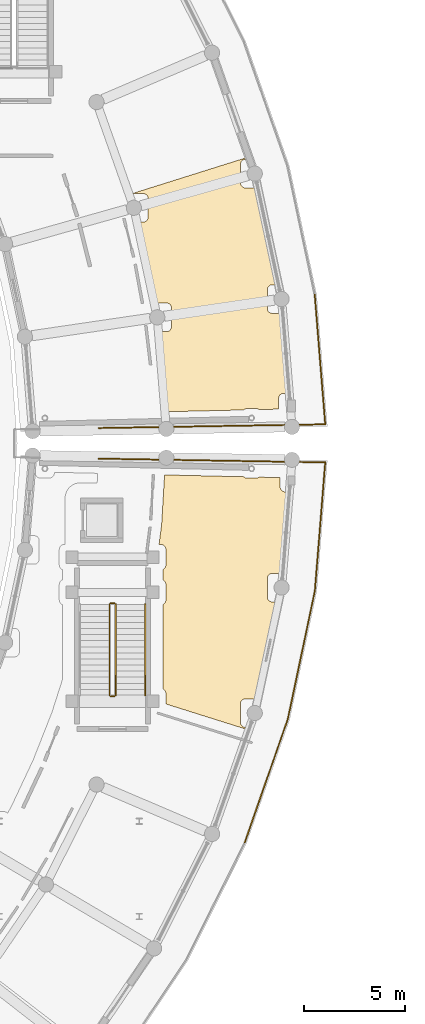
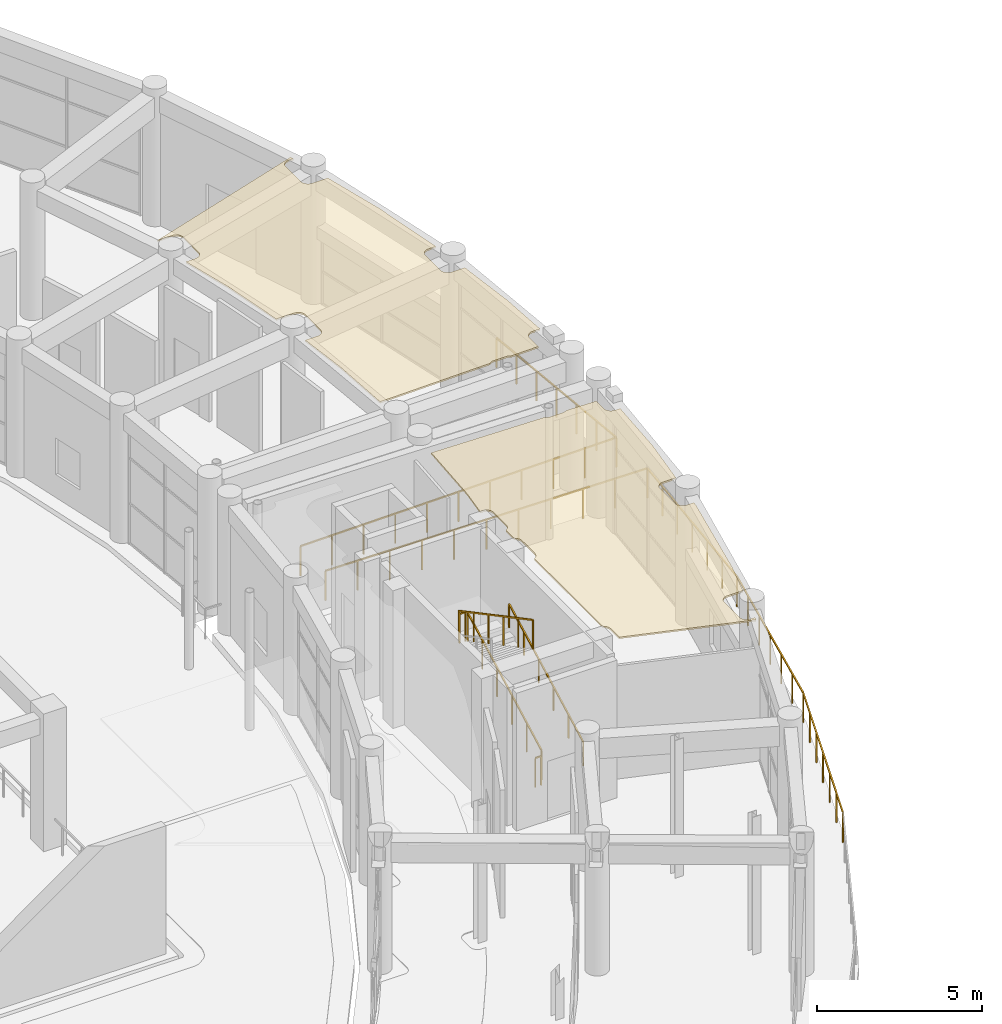
# One storey, part 93 of 99: 11 railings, 2 coverings.
"""IFC4 building model written with IfcOpenShell, lengths in metres."""

from ifc_helpers import new_model, si_unit, direction, frame, origin, origin_2d, place, context, subcontext, project, spatial, polyline, rectangle, outline, extrude, material, layer, layer_set, type_object, element, save


model = new_model("IFC4")

# Units and contexts
model_context = context("Model", 3, precision=1e-05, world=origin(), true_north=direction((0.0, 1.0)))
body_context = subcontext(model_context, "Body", "Model", "MODEL_VIEW")
ifc_project = project(units=[si_unit("LENGTHUNIT", "METRE"), si_unit("AREAUNIT", "SQUARE_METRE"), si_unit("VOLUMEUNIT", "CUBIC_METRE"), si_unit("PLANEANGLEUNIT", "RADIAN"), si_unit("MASSUNIT", "GRAM", prefix="KILO")], contexts=[model_context])

# Site, building, storey
site_placement = place(None, origin())
site = spatial("IfcSite", under=ifc_project, at=site_placement, CompositionType="ELEMENT")
building_placement = place(site_placement, origin())
building = spatial("IfcBuilding", under=site, at=building_placement, Name="Saryqyr Civic Hall", CompositionType="ELEMENT")
storey_placement = place(building_placement, origin())
storey = spatial("IfcBuildingStorey", under=building, at=storey_placement, Name="L00", CompositionType="ELEMENT", Elevation=0.0)

# Coverings
ifc_material_1 = material(Name="Mineral-fibre acoustic ceiling tile", Category="acoustic_tile")
ifc_layer_1 = layer(ifc_material_1, 0.06005859375, Name="Mineral-fibre acoustic ceiling tile")
ifc_layer_set_1 = layer_set([ifc_layer_1], Name="Mineral-fibre acoustic ceiling tile")
covering_type = type_object("IfcCoveringType", Name="INT-COV-CEIL-60", PredefinedType="CEILING", material=ifc_layer_set_1)
covering_1_placement = place(storey_placement, frame((0.0, 0.0, 4.760009765625)))
element("IfcCovering", 1, at=covering_1_placement, inside=storey, type_object=covering_type, Name="Acoustic ceiling Public Toilet Block & Accessible MGN WC L00-E", PredefinedType="CEILING", context=body_context, shape_type="SweptSolid", body=[
    extrude(outline(polyline([(99.706298828125, 82.443359375), (103.612548828125, 82.351318359375), (103.625, 82.340087890625), (103.64453125, 82.32568359375), (103.665771484375, 82.31298828125), (103.687744140625, 82.302490234375), (103.7109375, 82.294189453125), (103.734619140625, 82.288330078125), (103.759033203125, 82.28466796875), (103.783447265625, 82.283447265625), (104.216552734375, 82.283447265625), (104.240966796875, 82.28466796875), (104.265380859375, 82.288330078125), (104.2890625, 82.294189453125), (104.312255859375, 82.302490234375), (104.334228515625, 82.31298828125), (104.35546875, 82.32568359375), (104.3662109375, 82.33349609375), (105.410400390625, 82.30908203125), (105.410400390625, 81.856689453125), (105.41162109375, 81.832275390625), (105.415283203125, 81.807861328125), (105.42138671875, 81.7841796875), (105.429443359375, 81.760986328125), (105.43994140625, 81.739013671875), (105.45263671875, 81.7177734375), (105.46728515625, 81.697998046875), (105.483642578125, 81.679931640625), (105.501953125, 81.663330078125), (105.521484375, 81.648681640625), (105.542724609375, 81.63623046875), (105.564697265625, 81.625732421875), (105.587890625, 81.617431640625), (105.61181640625, 81.611572265625), (105.635986328125, 81.60791015625), (105.660400390625, 81.606689453125), (105.84326171875, 81.606689453125), (105.714111328125, 79.413330078125), (105.476806640625, 77.5849609375), (105.02490234375, 77.5849609375), (105.00048828125, 77.583740234375), (104.976318359375, 77.580078125), (104.952392578125, 77.57421875), (104.92919921875, 77.56591796875), (104.9072265625, 77.555419921875), (104.885986328125, 77.54296875), (104.866455078125, 77.5283203125), (104.84814453125, 77.51171875), (104.831787109375, 77.49365234375), (104.817138671875, 77.473876953125), (104.804443359375, 77.452880859375), (104.7939453125, 77.4306640625), (104.785888671875, 77.40771484375), (104.77978515625, 77.3837890625), (104.776123046875, 77.359619140625), (104.77490234375, 77.3349609375), (104.77490234375, 76.425048828125), (104.776123046875, 76.400390625), (104.77978515625, 76.376220703125), (104.785888671875, 76.352294921875), (104.7939453125, 76.329345703125), (104.804443359375, 76.30712890625), (104.817138671875, 76.2861328125), (104.831787109375, 76.266357421875), (104.84814453125, 76.248291015625), (104.866455078125, 76.231689453125), (104.885986328125, 76.217041015625), (104.9072265625, 76.20458984375), (104.92919921875, 76.194091796875), (104.952392578125, 76.185791015625), (104.976318359375, 76.1796875), (105.00048828125, 76.17626953125), (105.02490234375, 76.175048828125), (105.2939453125, 76.175048828125), (105.271484375, 76.002197265625), (104.59033203125, 72.630615234375), (104.249267578125, 71.396240234375), (103.702880859375, 71.396240234375), (103.678466796875, 71.39501953125), (103.654296875, 71.391357421875), (103.63037109375, 71.385498046875), (103.607421875, 71.377197265625), (103.585205078125, 71.36669921875), (103.564208984375, 71.35400390625), (103.54443359375, 71.339599609375), (103.526123046875, 71.322998046875), (103.509765625, 71.3046875), (103.4951171875, 71.28515625), (103.482421875, 71.263916015625), (103.471923828125, 71.241943359375), (103.4638671875, 71.21875), (103.457763671875, 71.195068359375), (103.4541015625, 71.170654296875), (103.452880859375, 71.146240234375), (103.452880859375, 70.236083984375), (103.4541015625, 70.211669921875), (103.457763671875, 70.1875), (103.4638671875, 70.16357421875), (103.471923828125, 70.140380859375), (103.482421875, 70.118408203125), (103.4951171875, 70.097412109375), (103.509765625, 70.07763671875), (103.526123046875, 70.059326171875), (103.54443359375, 70.04296875), (103.564208984375, 70.0283203125), (103.585205078125, 70.015625), (103.607421875, 70.005126953125), (103.63037109375, 69.9970703125), (103.654296875, 69.990966796875), (103.678466796875, 69.9873046875), (103.702880859375, 69.986083984375), (103.859619140625, 69.986083984375), (103.825927734375, 69.86474609375), (99.77001953125, 71.14013671875), (99.77001953125, 71.655029296875), (99.768798828125, 71.679443359375), (99.76513671875, 71.703857421875), (99.75927734375, 71.7275390625), (99.7509765625, 71.750732421875), (99.740478515625, 71.772705078125), (99.727783203125, 71.7939453125), (99.71337890625, 71.813720703125), (99.69677734375, 71.831787109375), (99.6787109375, 71.848388671875), (99.658935546875, 71.86279296875), (99.6376953125, 71.87548828125), (99.6201171875, 71.8837890625), (99.6201171875, 76.041015625), (99.6376953125, 76.049560546875), (99.658935546875, 76.06201171875), (99.6787109375, 76.07666015625), (99.69677734375, 76.09326171875), (99.71337890625, 76.111328125), (99.727783203125, 76.131103515625), (99.740478515625, 76.152099609375), (99.7509765625, 76.17431640625), (99.75927734375, 76.197509765625), (99.76513671875, 76.22119140625), (99.768798828125, 76.24560546875), (99.77001953125, 76.27001953125), (99.77001953125, 77.030029296875), (99.768798828125, 77.054443359375), (99.76513671875, 77.078857421875), (99.75927734375, 77.1025390625), (99.7509765625, 77.125732421875), (99.740478515625, 77.147705078125), (99.727783203125, 77.1689453125), (99.71337890625, 77.188720703125), (99.69677734375, 77.206787109375), (99.6787109375, 77.223388671875), (99.658935546875, 77.23779296875), (99.6376953125, 77.25048828125), (99.6201171875, 77.2587890625), (99.6201171875, 77.77099609375), (99.6376953125, 77.779541015625), (99.658935546875, 77.7919921875), (99.6787109375, 77.806640625), (99.69677734375, 77.8232421875), (99.71337890625, 77.84130859375), (99.727783203125, 77.861083984375), (99.740478515625, 77.882080078125), (99.7509765625, 77.904296875), (99.75927734375, 77.927490234375), (99.76513671875, 77.951171875), (99.768798828125, 77.9755859375), (99.77001953125, 78.0), (99.77001953125, 78.760009765625), (99.768798828125, 78.784423828125), (99.76513671875, 78.808837890625), (99.75927734375, 78.83251953125), (99.7509765625, 78.855712890625), (99.740478515625, 78.877685546875), (99.727783203125, 78.89892578125), (99.71337890625, 78.918701171875), (99.69677734375, 78.936767578125), (99.6787109375, 78.953369140625), (99.658935546875, 78.968017578125), (99.6376953125, 78.98046875), (99.61572265625, 78.990966796875), (99.592529296875, 78.999267578125), (99.56884765625, 79.005126953125), (99.54443359375, 79.0087890625), (99.52001953125, 79.010009765625), (99.4345703125, 79.010009765625), (99.5595703125, 79.973388671875), (99.563232421875, 80.011962890625), (99.706298828125, 82.443359375)])), origin(), (0.0, 0.0, 1.0), 0.06005859375),
])
covering_2_placement = place(storey_placement, frame((0.0, 0.0, 4.760009765625)))
element("IfcCovering", 2, at=covering_2_placement, inside=storey, type_object=covering_type, Name="Acoustic ceiling North Civic Square Citizens' Reception Hall", PredefinedType="CEILING", context=body_context, shape_type="SweptSolid", body=[
    extrude(outline(polyline([(105.02490234375, 91.824951171875), (105.00048828125, 91.82373046875), (104.976318359375, 91.8203125), (104.952392578125, 91.814208984375), (104.92919921875, 91.805908203125), (104.9072265625, 91.79541015625), (104.885986328125, 91.782958984375), (104.866455078125, 91.768310546875), (104.84814453125, 91.751708984375), (104.831787109375, 91.733642578125), (104.817138671875, 91.7138671875), (104.804443359375, 91.69287109375), (104.7939453125, 91.670654296875), (104.785888671875, 91.647705078125), (104.77978515625, 91.623779296875), (104.776123046875, 91.599609375), (104.77490234375, 91.574951171875), (104.77490234375, 90.6650390625), (104.776123046875, 90.640380859375), (104.77978515625, 90.6162109375), (104.785888671875, 90.59228515625), (104.7939453125, 90.5693359375), (104.804443359375, 90.547119140625), (104.817138671875, 90.526123046875), (104.831787109375, 90.50634765625), (104.84814453125, 90.48828125), (104.866455078125, 90.4716796875), (104.885986328125, 90.45703125), (104.9072265625, 90.444580078125), (104.92919921875, 90.43408203125), (104.952392578125, 90.42578125), (104.976318359375, 90.419921875), (105.00048828125, 90.416259765625), (105.02490234375, 90.4150390625), (105.48583984375, 90.4150390625), (105.74267578125, 88.275146484375), (105.843017578125, 86.46826171875), (105.58544921875, 86.46826171875), (105.56103515625, 86.467041015625), (105.53662109375, 86.46337890625), (105.512939453125, 86.45751953125), (105.48974609375, 86.44921875), (105.4677734375, 86.438720703125), (105.446533203125, 86.42626953125), (105.427001953125, 86.41162109375), (105.40869140625, 86.39501953125), (105.39208984375, 86.376953125), (105.377685546875, 86.357177734375), (105.364990234375, 86.336181640625), (105.3544921875, 86.31396484375), (105.34619140625, 86.291015625), (105.34033203125, 86.26708984375), (105.336669921875, 86.242919921875), (105.33544921875, 86.21826171875), (105.33544921875, 85.689208984375), (104.3662109375, 85.66650390625), (104.35546875, 85.67431640625), (104.334228515625, 85.68701171875), (104.312255859375, 85.697509765625), (104.2890625, 85.705810546875), (104.265380859375, 85.711669921875), (104.240966796875, 85.71533203125), (104.216552734375, 85.716552734375), (103.783447265625, 85.716552734375), (103.759033203125, 85.71533203125), (103.734619140625, 85.711669921875), (103.7109375, 85.705810546875), (103.687744140625, 85.697509765625), (103.665771484375, 85.68701171875), (103.64453125, 85.67431640625), (103.625, 85.659912109375), (103.612548828125, 85.648681640625), (99.7080078125, 85.556640625), (99.587890625, 87.717529296875), (99.584716796875, 87.752685546875), (99.373291015625, 89.51416015625), (99.80078125, 89.51416015625), (99.8251953125, 89.515380859375), (99.849609375, 89.518798828125), (99.873291015625, 89.52490234375), (99.896484375, 89.533203125), (99.918701171875, 89.543701171875), (99.939697265625, 89.55615234375), (99.95947265625, 89.57080078125), (99.9775390625, 89.58740234375), (99.994140625, 89.60546875), (100.0087890625, 89.625244140625), (100.021240234375, 89.646240234375), (100.03173828125, 89.66845703125), (100.0400390625, 89.69140625), (100.0458984375, 89.71533203125), (100.049560546875, 89.739501953125), (100.05078125, 89.76416015625), (100.05078125, 90.674072265625), (100.049560546875, 90.698486328125), (100.0458984375, 90.722900390625), (100.0400390625, 90.74658203125), (100.03173828125, 90.769775390625), (100.021240234375, 90.7919921875), (100.0087890625, 90.81298828125), (99.994140625, 90.832763671875), (99.9775390625, 90.850830078125), (99.95947265625, 90.867431640625), (99.939697265625, 90.882080078125), (99.918701171875, 90.89453125), (99.896484375, 90.905029296875), (99.873291015625, 90.913330078125), (99.849609375, 90.919189453125), (99.8251953125, 90.9228515625), (99.80078125, 90.924072265625), (99.1728515625, 90.924072265625), (98.76611328125, 93.1171875), (98.7587890625, 93.151611328125), (98.312255859375, 94.919921875), (98.64599609375, 94.919921875), (98.670654296875, 94.9208984375), (98.69482421875, 94.924560546875), (98.71875, 94.9306640625), (98.74169921875, 94.938720703125), (98.763916015625, 94.94921875), (98.784912109375, 94.9619140625), (98.8046875, 94.9765625), (98.822998046875, 94.992919921875), (98.83935546875, 95.01123046875), (98.85400390625, 95.031005859375), (98.86669921875, 95.052001953125), (98.877197265625, 95.07421875), (98.88525390625, 95.09716796875), (98.891357421875, 95.12109375), (98.89501953125, 95.145263671875), (98.89599609375, 95.169921875), (98.89599609375, 96.079833984375), (98.89501953125, 96.104248046875), (98.891357421875, 96.128662109375), (98.88525390625, 96.15234375), (98.877197265625, 96.175537109375), (98.86669921875, 96.197509765625), (98.85400390625, 96.21875), (98.83935546875, 96.23828125), (98.822998046875, 96.256591796875), (98.8046875, 96.273193359375), (98.784912109375, 96.28759765625), (98.763916015625, 96.30029296875), (98.74169921875, 96.310791015625), (98.71875, 96.319091796875), (98.69482421875, 96.324951171875), (98.670654296875, 96.32861328125), (98.64599609375, 96.329833984375), (98.125244140625, 96.329833984375), (103.82958984375, 98.122802734375), (103.86474609375, 98.013916015625), (103.702880859375, 98.013916015625), (103.678466796875, 98.0126953125), (103.654296875, 98.009033203125), (103.63037109375, 98.0029296875), (103.607421875, 97.994873046875), (103.585205078125, 97.984375), (103.564208984375, 97.9716796875), (103.54443359375, 97.95703125), (103.526123046875, 97.940673828125), (103.509765625, 97.92236328125), (103.4951171875, 97.902587890625), (103.482421875, 97.881591796875), (103.471923828125, 97.859619140625), (103.4638671875, 97.83642578125), (103.457763671875, 97.8125), (103.4541015625, 97.788330078125), (103.452880859375, 97.763916015625), (103.452880859375, 96.853759765625), (103.4541015625, 96.829345703125), (103.457763671875, 96.804931640625), (103.4638671875, 96.78125), (103.471923828125, 96.758056640625), (103.482421875, 96.736083984375), (103.4951171875, 96.71484375), (103.509765625, 96.6953125), (103.526123046875, 96.677001953125), (103.54443359375, 96.660400390625), (103.564208984375, 96.64599609375), (103.585205078125, 96.63330078125), (103.607421875, 96.622802734375), (103.63037109375, 96.614501953125), (103.654296875, 96.608642578125), (103.678466796875, 96.60498046875), (103.702880859375, 96.603759765625), (104.257080078125, 96.603759765625), (104.7998046875, 94.454833984375), (105.287353515625, 91.824951171875), (105.02490234375, 91.824951171875)])), origin(), (0.0, 0.0, 1.0), 0.06005859375),
])

# Railings
ifc_material_2 = material(Name="Warm brushed brass and laminated glass", Category="glass")
ifc_layer_2 = layer(ifc_material_2, 0.06005859375, Name="Warm brushed brass and laminated glass")
ifc_layer_set_2 = layer_set([ifc_layer_2], Name="Warm brushed brass and laminated glass")
railing_type_1 = type_object("IfcRailingType", Name="INT-RLG-BAL-1100", PredefinedType="BALUSTRADE", material=ifc_layer_set_2)
railing_1_placement = place(storey_placement, frame((97.2900390625, 71.56005859375, 0.159423828125)))
element("IfcRailing", 3, at=railing_1_placement, inside=storey, type_object=railing_type_1, Name="L00 ST-5 stair guard 1", PredefinedType="BALUSTRADE", context=body_context, shape_type="SweptSolid", body=[
    extrude(rectangle(XDim=0.048095703125, YDim=0.048095703125, at=origin_2d()), frame((0.0, 0.0, 1.076171875), z_axis=(0.0, 0.883115719457, 0.469155225962), x_axis=(-1.0, 0.0, 0.0)), (0.0, 0.0, 1.0), 5.095703125),
    extrude(rectangle(XDim=0.0419921875, YDim=0.0419921875, at=origin_2d()), origin(), (0.0, 0.0, 1.0), 1.052001953125),
    extrude(rectangle(XDim=0.0419921875, YDim=0.0419921875, at=origin_2d()), frame((0.0, 0.89990234375, 0.47802734375)), (0.0, 0.0, 1.0), 1.052001953125),
    extrude(rectangle(XDim=0.0419921875, YDim=0.0419921875, at=origin_2d()), frame((0.0, 1.800048828125, 0.956298828125)), (0.0, 0.0, 1.0), 1.052001953125),
    extrude(rectangle(XDim=0.0419921875, YDim=0.0419921875, at=origin_2d()), frame((0.0, 2.699951171875, 1.434326171875)), (0.0, 0.0, 1.0), 1.052001953125),
    extrude(rectangle(XDim=0.0419921875, YDim=0.0419921875, at=origin_2d()), frame((0.0, 3.60009765625, 1.91259765625)), (0.0, 0.0, 1.0), 1.052001953125),
    extrude(rectangle(XDim=0.0419921875, YDim=0.0419921875, at=origin_2d()), frame((0.0, 4.5, 2.390625)), (0.0, 0.0, 1.0), 1.052001953125),
])
railing_2_placement = place(storey_placement, frame((97.239990234375, 76.110107421875, 2.550048828125)))
element("IfcRailing", 4, at=railing_2_placement, inside=storey, type_object=railing_type_1, Name="L00 ST-5 stair guard 2", PredefinedType="BALUSTRADE", context=body_context, shape_type="SweptSolid", body=[
    extrude(rectangle(XDim=0.048095703125, YDim=0.048095703125, at=origin_2d()), frame((0.0, 0.0, 1.076171875), z_axis=(-1.0, 0.0, 0.0), x_axis=(0.0, -1.0, 0.0)), (0.0, 0.0, 1.0), 0.199951171875),
    extrude(rectangle(XDim=0.0419921875, YDim=0.0419921875, at=origin_2d()), origin(), (0.0, 0.0, 1.0), 1.052001953125),
    extrude(rectangle(XDim=0.0419921875, YDim=0.0419921875, at=origin_2d()), frame((-0.199951171875, 0.0, 0.0)), (0.0, 0.0, 1.0), 1.052001953125),
])
railing_3_placement = place(storey_placement, frame((96.989990234375, 76.06005859375, 2.70947265625)))
element("IfcRailing", 5, at=railing_3_placement, inside=storey, type_object=railing_type_1, Name="L00 ST-5 stair guard 3", PredefinedType="BALUSTRADE", context=body_context, shape_type="SweptSolid", body=[
    extrude(rectangle(XDim=0.048095703125, YDim=0.048095703125, at=origin_2d()), frame((0.0, 0.0, 1.076171875), z_axis=(0.0, -0.883115719457, 0.469155225962), x_axis=(1.0, 0.0, 0.0)), (0.0, 0.0, 1.0), 5.095703125),
    extrude(rectangle(XDim=0.0419921875, YDim=0.0419921875, at=origin_2d()), origin(), (0.0, 0.0, 1.0), 1.052001953125),
    extrude(rectangle(XDim=0.0419921875, YDim=0.0419921875, at=origin_2d()), frame((0.0, -0.89990234375, 0.47802734375)), (0.0, 0.0, 1.0), 1.052001953125),
    extrude(rectangle(XDim=0.0419921875, YDim=0.0419921875, at=origin_2d()), frame((0.0, -1.800048828125, 0.956298828125)), (0.0, 0.0, 1.0), 1.052001953125),
    extrude(rectangle(XDim=0.0419921875, YDim=0.0419921875, at=origin_2d()), frame((0.0, -2.699951171875, 1.434326171875)), (0.0, 0.0, 1.0), 1.052001953125),
    extrude(rectangle(XDim=0.0419921875, YDim=0.0419921875, at=origin_2d()), frame((0.0, -3.60009765625, 1.91259765625)), (0.0, 0.0, 1.0), 1.052001953125),
    extrude(rectangle(XDim=0.0419921875, YDim=0.0419921875, at=origin_2d()), frame((0.0, -4.5, 2.390625)), (0.0, 0.0, 1.0), 1.052001953125),
])
railing_4_placement = place(storey_placement, frame((97.239990234375, 71.510009765625, 0.0)))
element("IfcRailing", 6, at=railing_4_placement, inside=storey, type_object=railing_type_1, Name="L00 ST-5 stair guard 4", PredefinedType="BALUSTRADE", context=body_context, shape_type="SweptSolid", body=[
    extrude(rectangle(XDim=0.048095703125, YDim=0.048095703125, at=origin_2d()), frame((0.0, 0.0, 1.076171875), z_axis=(-1.0, 0.0, 0.0), x_axis=(0.0, -1.0, 0.0)), (0.0, 0.0, 1.0), 0.199951171875),
    extrude(rectangle(XDim=0.0419921875, YDim=0.0419921875, at=origin_2d()), origin(), (0.0, 0.0, 1.0), 1.052001953125),
    extrude(rectangle(XDim=0.0419921875, YDim=0.0419921875, at=origin_2d()), frame((-0.199951171875, 0.0, 0.0)), (0.0, 0.0, 1.0), 1.052001953125),
])
railing_5_placement = place(storey_placement, frame((107.117431640625, 91.32421875, 0.0)))
element("IfcRailing", 7, at=railing_5_placement, inside=storey, type_object=railing_type_1, Name="Interior deck safety balustrade L00-024", PredefinedType="BALUSTRADE", context=body_context, shape_type="SweptSolid", body=[
    extrude(rectangle(XDim=0.048095703125, YDim=0.048095703125, at=origin_2d()), frame((0.0, 0.0, 1.09619140625), z_axis=(0.080764698929, -0.996733195698, 0.0), x_axis=(0.996733195698, 0.080764698929, 0.0)), (0.0, 0.0, 1.0), 6.405517578125),
    extrude(rectangle(XDim=0.0419921875, YDim=0.0419921875, at=origin_2d()), origin(), (0.0, 0.0, 1.0), 1.072021484375),
    extrude(rectangle(XDim=0.0419921875, YDim=0.0419921875, at=origin_2d()), frame((0.086181640625, -1.06396484375, 0.0)), (0.0, 0.0, 1.0), 1.072021484375),
    extrude(rectangle(XDim=0.0419921875, YDim=0.0419921875, at=origin_2d()), frame((0.17236328125, -2.128173828125, 0.0)), (0.0, 0.0, 1.0), 1.072021484375),
    extrude(rectangle(XDim=0.0419921875, YDim=0.0419921875, at=origin_2d()), frame((0.2587890625, -3.1923828125, 0.0)), (0.0, 0.0, 1.0), 1.072021484375),
    extrude(rectangle(XDim=0.0419921875, YDim=0.0419921875, at=origin_2d()), frame((0.344970703125, -4.25634765625, 0.0)), (0.0, 0.0, 1.0), 1.072021484375),
    extrude(rectangle(XDim=0.0419921875, YDim=0.0419921875, at=origin_2d()), frame((0.43115234375, -5.3203125, 0.0)), (0.0, 0.0, 1.0), 1.072021484375),
    extrude(rectangle(XDim=0.0419921875, YDim=0.0419921875, at=origin_2d()), frame((0.517333984375, -6.384521484375, 0.0)), (0.0, 0.0, 1.0), 1.072021484375),
])
railing_6_placement = place(storey_placement, frame((107.634765625, 84.939697265625, 0.0)))
element("IfcRailing", 8, at=railing_6_placement, inside=storey, type_object=railing_type_1, Name="Interior deck safety balustrade L00-025", PredefinedType="BALUSTRADE", context=body_context, shape_type="SweptSolid", body=[
    extrude(rectangle(XDim=0.048095703125, YDim=0.048095703125, at=origin_2d()), frame((0.0, 0.0, 1.09619140625), z_axis=(-0.999862603863, -0.016576290165, 0.0), x_axis=(0.016576290165, -0.999862603863, 0.0)), (0.0, 0.0, 1.0), 11.1787109375),
    extrude(rectangle(XDim=0.0419921875, YDim=0.0419921875, at=origin_2d()), origin(), (0.0, 0.0, 1.0), 1.072021484375),
    extrude(rectangle(XDim=0.0419921875, YDim=0.0419921875, at=origin_2d()), frame((-1.11767578125, -0.0185546875, 0.0)), (0.0, 0.0, 1.0), 1.072021484375),
    extrude(rectangle(XDim=0.0419921875, YDim=0.0419921875, at=origin_2d()), frame((-2.2353515625, -0.037109375, 0.0)), (0.0, 0.0, 1.0), 1.072021484375),
    extrude(rectangle(XDim=0.0419921875, YDim=0.0419921875, at=origin_2d()), frame((-3.353271484375, -0.0556640625, 0.0)), (0.0, 0.0, 1.0), 1.072021484375),
    extrude(rectangle(XDim=0.0419921875, YDim=0.0419921875, at=origin_2d()), frame((-4.470947265625, -0.07421875, 0.0)), (0.0, 0.0, 1.0), 1.072021484375),
    extrude(rectangle(XDim=0.0419921875, YDim=0.0419921875, at=origin_2d()), frame((-5.588623046875, -0.0927734375, 0.0)), (0.0, 0.0, 1.0), 1.072021484375),
    extrude(rectangle(XDim=0.0419921875, YDim=0.0419921875, at=origin_2d()), frame((-6.706298828125, -0.111083984375, 0.0)), (0.0, 0.0, 1.0), 1.072021484375),
    extrude(rectangle(XDim=0.0419921875, YDim=0.0419921875, at=origin_2d()), frame((-7.823974609375, -0.129638671875, 0.0)), (0.0, 0.0, 1.0), 1.072021484375),
    extrude(rectangle(XDim=0.0419921875, YDim=0.0419921875, at=origin_2d()), frame((-8.94189453125, -0.148193359375, 0.0)), (0.0, 0.0, 1.0), 1.072021484375),
    extrude(rectangle(XDim=0.0419921875, YDim=0.0419921875, at=origin_2d()), frame((-10.0595703125, -0.166748046875, 0.0)), (0.0, 0.0, 1.0), 1.072021484375),
    extrude(rectangle(XDim=0.0419921875, YDim=0.0419921875, at=origin_2d()), frame((-11.17724609375, -0.185302734375, 0.0)), (0.0, 0.0, 1.0), 1.072021484375),
])
railing_7_placement = place(storey_placement, frame((96.45751953125, 83.24560546875, 0.0)))
element("IfcRailing", 9, at=railing_7_placement, inside=storey, type_object=railing_type_1, Name="Interior deck safety balustrade L00-029", PredefinedType="BALUSTRADE", context=body_context, shape_type="SweptSolid", body=[
    extrude(rectangle(XDim=0.048095703125, YDim=0.048095703125, at=origin_2d()), frame((0.0, 0.0, 1.09619140625), z_axis=(0.999862603863, -0.016576290165, 0.0), x_axis=(0.016576290165, 0.999862603863, 0.0)), (0.0, 0.0, 1.0), 11.1787109375),
    extrude(rectangle(XDim=0.0419921875, YDim=0.0419921875, at=origin_2d()), origin(), (0.0, 0.0, 1.0), 1.072021484375),
    extrude(rectangle(XDim=0.0419921875, YDim=0.0419921875, at=origin_2d()), frame((1.11767578125, -0.0185546875, 0.0)), (0.0, 0.0, 1.0), 1.072021484375),
    extrude(rectangle(XDim=0.0419921875, YDim=0.0419921875, at=origin_2d()), frame((2.2353515625, -0.037109375, 0.0)), (0.0, 0.0, 1.0), 1.072021484375),
    extrude(rectangle(XDim=0.0419921875, YDim=0.0419921875, at=origin_2d()), frame((3.353271484375, -0.0556640625, 0.0)), (0.0, 0.0, 1.0), 1.072021484375),
    extrude(rectangle(XDim=0.0419921875, YDim=0.0419921875, at=origin_2d()), frame((4.470947265625, -0.07421875, 0.0)), (0.0, 0.0, 1.0), 1.072021484375),
    extrude(rectangle(XDim=0.0419921875, YDim=0.0419921875, at=origin_2d()), frame((5.588623046875, -0.0927734375, 0.0)), (0.0, 0.0, 1.0), 1.072021484375),
    extrude(rectangle(XDim=0.0419921875, YDim=0.0419921875, at=origin_2d()), frame((6.706298828125, -0.111083984375, 0.0)), (0.0, 0.0, 1.0), 1.072021484375),
    extrude(rectangle(XDim=0.0419921875, YDim=0.0419921875, at=origin_2d()), frame((7.823974609375, -0.129638671875, 0.0)), (0.0, 0.0, 1.0), 1.072021484375),
    extrude(rectangle(XDim=0.0419921875, YDim=0.0419921875, at=origin_2d()), frame((8.94189453125, -0.148193359375, 0.0)), (0.0, 0.0, 1.0), 1.072021484375),
    extrude(rectangle(XDim=0.0419921875, YDim=0.0419921875, at=origin_2d()), frame((10.0595703125, -0.166748046875, 0.0)), (0.0, 0.0, 1.0), 1.072021484375),
    extrude(rectangle(XDim=0.0419921875, YDim=0.0419921875, at=origin_2d()), frame((11.17724609375, -0.185302734375, 0.0)), (0.0, 0.0, 1.0), 1.072021484375),
])
railing_8_placement = place(storey_placement, frame((107.634765625, 83.060302734375, 0.0)))
element("IfcRailing", 10, at=railing_8_placement, inside=storey, type_object=railing_type_1, Name="Interior deck safety balustrade L00-030", PredefinedType="BALUSTRADE", context=body_context, shape_type="SweptSolid", body=[
    extrude(rectangle(XDim=0.048095703125, YDim=0.048095703125, at=origin_2d()), frame((0.0, 0.0, 1.09619140625), z_axis=(-0.080299265796, -0.99677080009, 0.0), x_axis=(0.99677080009, -0.080299265796, 0.0)), (0.0, 0.0, 1.0), 6.357421875),
    extrude(rectangle(XDim=0.0419921875, YDim=0.0419921875, at=origin_2d()), origin(), (0.0, 0.0, 1.0), 1.072021484375),
    extrude(rectangle(XDim=0.0419921875, YDim=0.0419921875, at=origin_2d()), frame((-0.0849609375, -1.05615234375, 0.0)), (0.0, 0.0, 1.0), 1.072021484375),
    extrude(rectangle(XDim=0.0419921875, YDim=0.0419921875, at=origin_2d()), frame((-0.170166015625, -2.1123046875, 0.0)), (0.0, 0.0, 1.0), 1.072021484375),
    extrude(rectangle(XDim=0.0419921875, YDim=0.0419921875, at=origin_2d()), frame((-0.25537109375, -3.16845703125, 0.0)), (0.0, 0.0, 1.0), 1.072021484375),
    extrude(rectangle(XDim=0.0419921875, YDim=0.0419921875, at=origin_2d()), frame((-0.34033203125, -4.224609375, 0.0)), (0.0, 0.0, 1.0), 1.072021484375),
    extrude(rectangle(XDim=0.0419921875, YDim=0.0419921875, at=origin_2d()), frame((-0.42529296875, -5.28076171875, 0.0)), (0.0, 0.0, 1.0), 1.072021484375),
    extrude(rectangle(XDim=0.0419921875, YDim=0.0419921875, at=origin_2d()), frame((-0.510498046875, -6.3369140625, 0.0)), (0.0, 0.0, 1.0), 1.072021484375),
])
railing_9_placement = place(storey_placement, frame((107.124267578125, 76.723388671875, 0.0)))
element("IfcRailing", 11, at=railing_9_placement, inside=storey, type_object=railing_type_1, Name="Interior deck safety balustrade L00-031", PredefinedType="BALUSTRADE", context=body_context, shape_type="SweptSolid", body=[
    extrude(rectangle(XDim=0.048095703125, YDim=0.048095703125, at=origin_2d()), frame((0.0, 0.0, 1.09619140625), z_axis=(-0.206458214132, -0.978455418411, 0.0), x_axis=(0.978455418411, -0.206458214132, 0.0)), (0.0, 0.0, 1.0), 6.457763671875),
    extrude(rectangle(XDim=0.0419921875, YDim=0.0419921875, at=origin_2d()), origin(), (0.0, 0.0, 1.0), 1.072021484375),
    extrude(rectangle(XDim=0.0419921875, YDim=0.0419921875, at=origin_2d()), frame((-0.22216796875, -1.05322265625, 0.0)), (0.0, 0.0, 1.0), 1.072021484375),
    extrude(rectangle(XDim=0.0419921875, YDim=0.0419921875, at=origin_2d()), frame((-0.4443359375, -2.106201171875, 0.0)), (0.0, 0.0, 1.0), 1.072021484375),
    extrude(rectangle(XDim=0.0419921875, YDim=0.0419921875, at=origin_2d()), frame((-0.66650390625, -3.1591796875, 0.0)), (0.0, 0.0, 1.0), 1.072021484375),
    extrude(rectangle(XDim=0.0419921875, YDim=0.0419921875, at=origin_2d()), frame((-0.888916015625, -4.21240234375, 0.0)), (0.0, 0.0, 1.0), 1.072021484375),
    extrude(rectangle(XDim=0.0419921875, YDim=0.0419921875, at=origin_2d()), frame((-1.111083984375, -5.265625, 0.0)), (0.0, 0.0, 1.0), 1.072021484375),
    extrude(rectangle(XDim=0.0419921875, YDim=0.0419921875, at=origin_2d()), frame((-1.333251953125, -6.318603515625, 0.0)), (0.0, 0.0, 1.0), 1.072021484375),
])
railing_10_placement = place(storey_placement, frame((105.791015625, 70.40478515625, 0.0)))
element("IfcRailing", 12, at=railing_10_placement, inside=storey, type_object=railing_type_1, Name="Interior deck safety balustrade L00-032", PredefinedType="BALUSTRADE", context=body_context, shape_type="SweptSolid", body=[
    extrude(rectangle(XDim=0.048095703125, YDim=0.048095703125, at=origin_2d()), frame((0.0, 0.0, 1.09619140625), z_axis=(-0.32926398219, -0.944237909656, 0.0), x_axis=(0.944237909656, -0.32926398219, 0.0)), (0.0, 0.0, 1.0), 6.45751953125),
    extrude(rectangle(XDim=0.0419921875, YDim=0.0419921875, at=origin_2d()), origin(), (0.0, 0.0, 1.0), 1.072021484375),
    extrude(rectangle(XDim=0.0419921875, YDim=0.0419921875, at=origin_2d()), frame((-0.3544921875, -1.01611328125, 0.0)), (0.0, 0.0, 1.0), 1.072021484375),
    extrude(rectangle(XDim=0.0419921875, YDim=0.0419921875, at=origin_2d()), frame((-0.708740234375, -2.032470703125, 0.0)), (0.0, 0.0, 1.0), 1.072021484375),
    extrude(rectangle(XDim=0.0419921875, YDim=0.0419921875, at=origin_2d()), frame((-1.06298828125, -3.048828125, 0.0)), (0.0, 0.0, 1.0), 1.072021484375),
    extrude(rectangle(XDim=0.0419921875, YDim=0.0419921875, at=origin_2d()), frame((-1.41748046875, -4.06494140625, 0.0)), (0.0, 0.0, 1.0), 1.072021484375),
    extrude(rectangle(XDim=0.0419921875, YDim=0.0419921875, at=origin_2d()), frame((-1.77197265625, -5.0810546875, 0.0)), (0.0, 0.0, 1.0), 1.072021484375),
    extrude(rectangle(XDim=0.0419921875, YDim=0.0419921875, at=origin_2d()), frame((-2.126220703125, -6.097412109375, 0.0)), (0.0, 0.0, 1.0), 1.072021484375),
])
ifc_material_3 = material(Name="Stainless steel", Category="steel")
ifc_layer_3 = layer(ifc_material_3, 0.050048828125, Name="Stainless steel")
ifc_layer_set_3 = layer_set([ifc_layer_3], Name="Stainless steel")
railing_type_2 = type_object("IfcRailingType", Name="INT-RLG-HND-900", PredefinedType="HANDRAIL", material=ifc_layer_set_3)
railing_11_placement = place(storey_placement, frame((98.75, 71.56005859375, 0.159423828125)))
element("IfcRailing", 13, at=railing_11_placement, inside=storey, type_object=railing_type_2, Name="L00 ST-5 stair handrail 1", PredefinedType="HANDRAIL", context=body_context, shape_type="SweptSolid", body=[
    extrude(rectangle(XDim=0.048095703125, YDim=0.048095703125, at=origin_2d()), frame((0.0, 0.0, 0.8759765625), z_axis=(0.0, 0.883115719457, 0.469155225962), x_axis=(-1.0, 0.0, 0.0)), (0.0, 0.0, 1.0), 5.095703125),
    extrude(rectangle(XDim=0.0419921875, YDim=0.0419921875, at=origin_2d()), origin(), (0.0, 0.0, 1.0), 0.851806640625),
    extrude(rectangle(XDim=0.0419921875, YDim=0.0419921875, at=origin_2d()), frame((0.0, 0.89990234375, 0.47802734375)), (0.0, 0.0, 1.0), 0.851806640625),
    extrude(rectangle(XDim=0.0419921875, YDim=0.0419921875, at=origin_2d()), frame((0.0, 1.800048828125, 0.956298828125)), (0.0, 0.0, 1.0), 0.851806640625),
    extrude(rectangle(XDim=0.0419921875, YDim=0.0419921875, at=origin_2d()), frame((0.0, 2.699951171875, 1.434326171875)), (0.0, 0.0, 1.0), 0.851806640625),
    extrude(rectangle(XDim=0.0419921875, YDim=0.0419921875, at=origin_2d()), frame((0.0, 3.60009765625, 1.91259765625)), (0.0, 0.0, 1.0), 0.851806640625),
    extrude(rectangle(XDim=0.0419921875, YDim=0.0419921875, at=origin_2d()), frame((0.0, 4.5, 2.390625)), (0.0, 0.0, 1.0), 0.851806640625),
])

save(model, "model.ifc")
